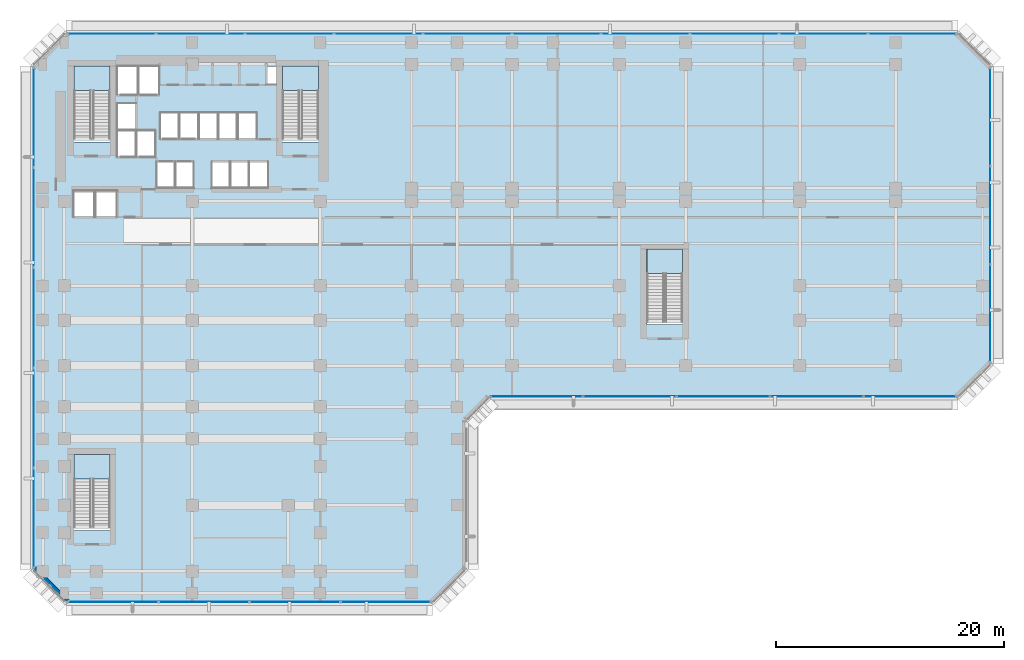
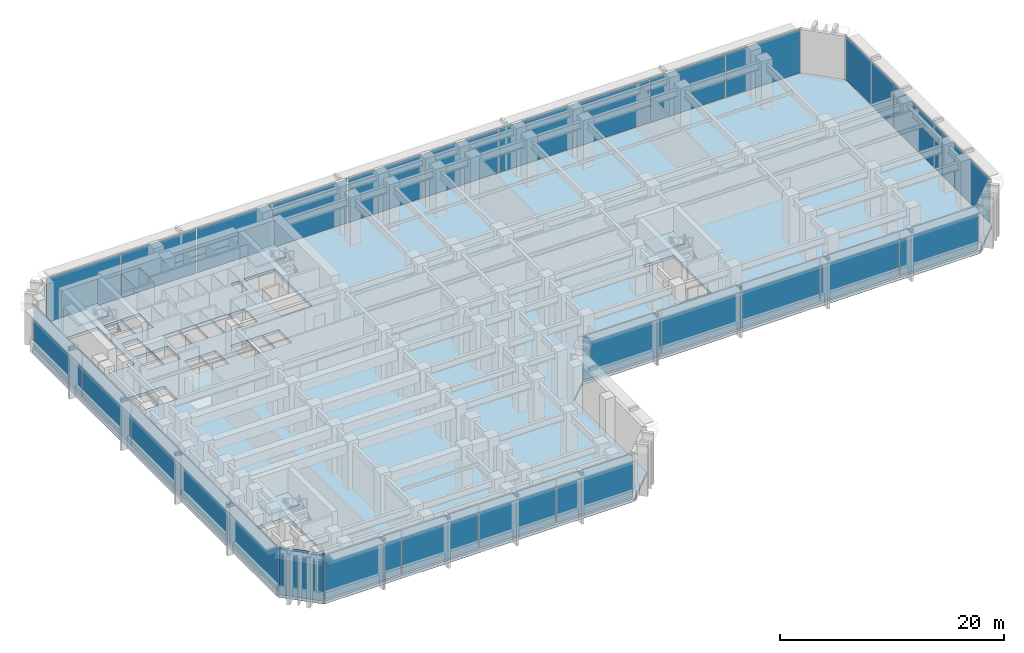
# One storey, part 8 of 20: 27 plates, 5 slabs, 1 wall, 9 elements without a shape of their own.
"""IFC4 building model written with IfcOpenShell, lengths in metres."""

from ifc_helpers import new_model, si_unit, direction, frame, frame_2d, origin, origin_2d, place, context, subcontext, project, spatial, polyline, rectangle, outline, extrude, material, layer, layer_set, type_object, element, aggregate, save


model = new_model("IFC4")

# Units and contexts
model_context = context("Model", 3, precision=1e-05, world=origin(), true_north=direction((0.0, 1.0)))
body_context = subcontext(model_context, "Body", "Model", "MODEL_VIEW")
ifc_project = project(units=[si_unit("LENGTHUNIT", "METRE"), si_unit("AREAUNIT", "SQUARE_METRE"), si_unit("VOLUMEUNIT", "CUBIC_METRE"), si_unit("PLANEANGLEUNIT", "RADIAN"), si_unit("MASSUNIT", "GRAM", prefix="KILO")], contexts=[model_context])

# Site, building, storey
site_placement = place(None, origin())
site = spatial("IfcSite", under=ifc_project, at=site_placement, CompositionType="ELEMENT")
building_placement = place(site_placement, origin())
building = spatial("IfcBuilding", under=site, at=building_placement, Name="Kefirva Bronze Tower", CompositionType="ELEMENT")
storey_placement = place(building_placement, frame((0.0, 0.0, 5.93994140625)))
storey = spatial("IfcBuildingStorey", under=building, at=storey_placement, Name="L01", CompositionType="ELEMENT", Elevation=5.93994140625)

# Slab
ifc_material_1 = material(Name="Concrete C40/50", Category="concrete")
ifc_layer_1 = layer(ifc_material_1, 0.320068359375, Name="Concrete C40/50")
ifc_layer_set_1 = layer_set([ifc_layer_1], Name="Concrete C40/50")
slab_type_1 = type_object("IfcSlabType", Name="RC Podium Floor Slab 320mm", PredefinedType="FLOOR", material=ifc_layer_set_1)
slab_1_placement = place(storey_placement, frame((0.0, 0.0, -0.31982421875)))
element("IfcSlab", 1, at=slab_1_placement, inside=storey, type_object=slab_type_1, Name="L01 Structural Floor Slab", PredefinedType="FLOOR", context=body_context, shape_type="SweptSolid", body=[
    extrude(outline(polyline([(-2.0, 1.0), (-2.0, 45.0), (1.0, 48.0), (79.0, 48.0), (82.0, 45.0), (82.0, 19.0), (79.0, 16.0), (38.0, 16.0), (36.0, 14.0), (36.0, 1.0), (33.0, -2.0), (1.0, -2.0), (-2.0, 1.0)]), holes=[polyline([(54.949951171875, 22.39990234375), (54.949951171875, 29.050048828125), (51.800048828125, 29.050048828125), (51.800048828125, 22.39990234375), (54.949951171875, 22.39990234375)]), polyline([(19.89990234375, 38.39990234375), (23.050048828125, 38.39990234375), (23.050048828125, 45.050048828125), (19.89990234375, 45.050048828125), (19.89990234375, 38.39990234375)]), polyline([(18.52001953125, 43.419921875), (19.320068359375, 43.419921875), (19.320068359375, 45.0), (18.52001953125, 45.0), (18.52001953125, 43.419921875)]), polyline([(17.0, 34.35009765625), (18.64990234375, 34.35009765625), (18.64990234375, 36.64990234375), (17.0, 36.64990234375), (17.0, 34.35009765625)]), polyline([(17.64990234375, 38.679931640625), (17.64990234375, 40.97998046875), (16.0, 40.97998046875), (16.0, 38.679931640625), (17.64990234375, 38.679931640625)]), polyline([(15.35009765625, 34.35009765625), (16.949951171875, 34.35009765625), (16.949951171875, 36.64990234375), (15.35009765625, 36.64990234375), (15.35009765625, 34.35009765625)]), polyline([(14.300048828125, 38.679931640625), (15.929931640625, 38.679931640625), (15.929931640625, 40.97998046875), (14.300048828125, 40.97998046875), (14.300048828125, 38.679931640625)]), polyline([(15.300048828125, 34.35009765625), (15.300048828125, 36.64990234375), (13.699951171875, 36.64990234375), (13.699951171875, 34.35009765625), (15.300048828125, 34.35009765625)]), polyline([(12.60009765625, 38.679931640625), (14.22998046875, 38.679931640625), (14.22998046875, 40.97998046875), (12.60009765625, 40.97998046875), (12.60009765625, 38.679931640625)]), polyline([(12.530029296875, 38.679931640625), (12.530029296875, 40.97998046875), (10.89990234375, 40.97998046875), (10.89990234375, 38.679931640625), (12.530029296875, 38.679931640625)]), polyline([(12.139892578125, 34.35009765625), (12.139892578125, 36.64990234375), (10.5400390625, 36.64990234375), (10.5400390625, 34.35009765625), (12.139892578125, 34.35009765625)]), polyline([(9.199951171875, 38.679931640625), (10.830078125, 38.679931640625), (10.830078125, 40.97998046875), (9.199951171875, 40.97998046875), (9.199951171875, 38.679931640625)]), polyline([(8.89990234375, 34.35009765625), (10.5, 34.35009765625), (10.5, 36.64990234375), (8.89990234375, 36.64990234375), (8.89990234375, 34.35009765625)]), polyline([(7.300048828125, 42.550048828125), (9.1201171875, 42.550048828125), (9.1201171875, 45.050048828125), (7.300048828125, 45.050048828125), (7.300048828125, 42.550048828125)]), polyline([(8.780029296875, 37.10009765625), (8.780029296875, 39.39990234375), (7.139892578125, 39.39990234375), (7.139892578125, 37.10009765625), (8.780029296875, 37.10009765625)]), polyline([(5.419921875, 42.550048828125), (7.239990234375, 42.550048828125), (7.239990234375, 45.050048828125), (5.419921875, 45.050048828125), (5.419921875, 42.550048828125)]), polyline([(5.419921875, 39.47998046875), (7.06005859375, 39.47998046875), (7.06005859375, 41.780029296875), (5.419921875, 41.780029296875), (5.419921875, 39.47998046875)]), polyline([(5.419921875, 37.10009765625), (7.06005859375, 37.10009765625), (7.06005859375, 39.39990234375), (5.419921875, 39.39990234375), (5.419921875, 37.10009765625)]), polyline([(5.39990234375, 31.85009765625), (5.39990234375, 34.14990234375), (3.550048828125, 34.14990234375), (3.550048828125, 31.85009765625), (5.39990234375, 31.85009765625)]), polyline([(4.800048828125, 38.39990234375), (4.800048828125, 45.050048828125), (1.64990234375, 45.050048828125), (1.64990234375, 38.39990234375), (4.800048828125, 38.39990234375)]), polyline([(4.800048828125, 4.39990234375), (4.800048828125, 11.050048828125), (1.64990234375, 11.050048828125), (1.64990234375, 4.39990234375), (4.800048828125, 4.39990234375)]), polyline([(3.449951171875, 31.85009765625), (3.449951171875, 34.14990234375), (1.60009765625, 34.14990234375), (1.60009765625, 31.85009765625), (3.449951171875, 31.85009765625)])]), origin(), (0.0, 0.0, 1.0), 0.31982421875),
])

# Stair, slab
stair_type = type_object("IfcStairType", Name="RC Dogleg Protected Stair 32R", PredefinedType="HALF_TURN_STAIR", material=ifc_material_1)
stair_1_placement = place(storey_placement, origin())
stair_1 = element("IfcStair", 2, at=stair_1_placement, inside=storey, type_object=stair_type, Name="L01 Protected Exit Stair 1", PredefinedType="HALF_TURN_STAIR")
ifc_layer_2 = layer(ifc_material_1, 0.199951171875, Name="Concrete C40/50")
ifc_layer_set_2 = layer_set([ifc_layer_2], Name="Concrete C40/50")
slab_type_2 = type_object("IfcSlabType", Name="RC Stair Landing Slab 200mm", PredefinedType="LANDING", material=ifc_layer_set_2)
slab_2_placement = place(storey_placement, frame((0.0, 0.0, 2.43994140625)))
slab_2 = element("IfcSlab", 3, at=slab_2_placement, type_object=slab_type_2, Name="ST-1 landing 1", PredefinedType="LANDING", context=body_context, shape_type="SweptSolid", body=[
    extrude(outline(polyline([(4.800048828125, 42.89990234375), (4.800048828125, 45.050048828125), (1.64990234375, 45.050048828125), (1.64990234375, 42.89990234375), (4.800048828125, 42.89990234375)])), origin(), (0.0, 0.0, 1.0), 0.2001953125),
])
aggregate(stair_1, [slab_2])

stair_2_placement = place(storey_placement, origin())
stair_2 = element("IfcStair", 4, at=stair_2_placement, inside=storey, type_object=stair_type, Name="L01 Protected Exit Stair 2", PredefinedType="HALF_TURN_STAIR")
slab_3_placement = place(storey_placement, frame((0.0, 0.0, 2.43994140625)))
slab_3 = element("IfcSlab", 5, at=slab_3_placement, type_object=slab_type_2, Name="ST-2 landing 1", PredefinedType="LANDING", context=body_context, shape_type="SweptSolid", body=[
    extrude(outline(polyline([(23.050048828125, 42.89990234375), (23.050048828125, 45.050048828125), (19.89990234375, 45.050048828125), (19.89990234375, 42.89990234375), (23.050048828125, 42.89990234375)])), origin(), (0.0, 0.0, 1.0), 0.2001953125),
])
aggregate(stair_2, [slab_3])

stair_3_placement = place(storey_placement, origin())
stair_3 = element("IfcStair", 6, at=stair_3_placement, inside=storey, type_object=stair_type, Name="L01 Podium Exit Stair 3", PredefinedType="HALF_TURN_STAIR")
slab_4_placement = place(storey_placement, frame((0.0, 0.0, 2.43994140625)))
slab_4 = element("IfcSlab", 7, at=slab_4_placement, type_object=slab_type_2, Name="ST-3 landing 1", PredefinedType="LANDING", context=body_context, shape_type="SweptSolid", body=[
    extrude(outline(polyline([(4.800048828125, 8.89990234375), (4.800048828125, 11.050048828125), (1.64990234375, 11.050048828125), (1.64990234375, 8.89990234375), (4.800048828125, 8.89990234375)])), origin(), (0.0, 0.0, 1.0), 0.2001953125),
])
aggregate(stair_3, [slab_4])

stair_4_placement = place(storey_placement, origin())
stair_4 = element("IfcStair", 8, at=stair_4_placement, inside=storey, type_object=stair_type, Name="L01 Podium Exit Stair 4", PredefinedType="HALF_TURN_STAIR")
slab_5_placement = place(storey_placement, frame((0.0, 0.0, 2.43994140625)))
slab_5 = element("IfcSlab", 9, at=slab_5_placement, type_object=slab_type_2, Name="ST-4 landing 1", PredefinedType="LANDING", context=body_context, shape_type="SweptSolid", body=[
    extrude(outline(polyline([(54.949951171875, 26.89990234375), (54.949951171875, 29.050048828125), (51.800048828125, 29.050048828125), (51.800048828125, 26.89990234375), (54.949951171875, 26.89990234375)])), origin(), (0.0, 0.0, 1.0), 0.2001953125),
])
aggregate(stair_4, [slab_5])

# Curtain wall, plates
ifc_material_2 = material(Name="Bronze anodised aluminium", Category="aluminium")
ifc_layer_3 = layer(ifc_material_2, 0.239990234375, Name="Bronze anodised aluminium")
ifc_layer_set_3 = layer_set([ifc_layer_3], Name="Bronze anodised aluminium")
curtain_wall_type = type_object("IfcCurtainWallType", Name="Podium Double-Height Glazed Curtain Wall", PredefinedType="USERDEFINED", material=ifc_layer_set_3)
curtain_wall_1_placement = place(storey_placement, origin())
curtain_wall_1 = element("IfcCurtainWall", 10, at=curtain_wall_1_placement, inside=storey, type_object=curtain_wall_type, Name="L01 Curtain Wall 1", ObjectType="UNITISED CURTAIN WALL", PredefinedType="USERDEFINED")
ifc_material_3 = material(Name="Laminated low-E double glazing", Category="glass")
ifc_layer_4 = layer(ifc_material_3, 0.031982421875, Name="Laminated low-E double glazing")
ifc_layer_set_4 = layer_set([ifc_layer_4], Name="Laminated low-E double glazing")
plate_type = type_object("IfcPlateType", Name="Solar-Control Low-E Vision Panel 32mm", PredefinedType="CURTAIN_PANEL", material=ifc_layer_set_4)
plate_1_placement = place(storey_placement, frame((5.063720703125, -1.8798828125, 0.08984375), z_axis=(0.0, 0.0, 1.0), x_axis=(1.0, 0.0, 0.0)))
plate_1 = element("IfcPlate", 11, at=plate_1_placement, type_object=plate_type, Name="CW-05 panel 1.1", PredefinedType="CURTAIN_PANEL", context=body_context, shape_type="SweptSolid", body=[
    extrude(rectangle(XDim=7.83740234375, YDim=0.031982421875, at=origin_2d()), origin(), (0.0, 0.0, 1.0), 4.780029296875),
])
plate_2_placement = place(storey_placement, frame((13.013671875, -1.8798828125, 0.08984375), z_axis=(0.0, 0.0, 1.0), x_axis=(1.0, 0.0, 0.0)))
plate_2 = element("IfcPlate", 12, at=plate_2_placement, type_object=plate_type, Name="CW-05 panel 2.1", PredefinedType="CURTAIN_PANEL", context=body_context, shape_type="SweptSolid", body=[
    extrude(rectangle(XDim=7.882568359375, YDim=0.031982421875, at=origin_2d()), origin(), (0.0, 0.0, 1.0), 4.780029296875),
])
plate_3_placement = place(storey_placement, frame((20.986328125, -1.8798828125, 0.08984375), z_axis=(0.0, 0.0, 1.0), x_axis=(1.0, 0.0, 0.0)))
plate_3 = element("IfcPlate", 13, at=plate_3_placement, type_object=plate_type, Name="CW-05 panel 3.1", PredefinedType="CURTAIN_PANEL", context=body_context, shape_type="SweptSolid", body=[
    extrude(rectangle(XDim=7.882568359375, YDim=0.031982421875, at=origin_2d()), origin(), (0.0, 0.0, 1.0), 4.780029296875),
])
plate_4_placement = place(storey_placement, frame((28.936279296875, -1.8798828125, 0.08984375), z_axis=(0.0, 0.0, 1.0), x_axis=(1.0, 0.0, 0.0)))
plate_4 = element("IfcPlate", 14, at=plate_4_placement, type_object=plate_type, Name="CW-05 panel 4.1", PredefinedType="CURTAIN_PANEL", context=body_context, shape_type="SweptSolid", body=[
    extrude(rectangle(XDim=7.83740234375, YDim=0.031982421875, at=origin_2d()), origin(), (0.0, 0.0, 1.0), 4.780029296875),
])
aggregate(curtain_wall_1, [plate_1, plate_2, plate_3, plate_4])

curtain_wall_2_placement = place(storey_placement, origin())
curtain_wall_2 = element("IfcCurtainWall", 15, at=curtain_wall_2_placement, inside=storey, type_object=curtain_wall_type, Name="L01 Curtain Wall 2", ObjectType="UNITISED CURTAIN WALL", PredefinedType="USERDEFINED")
plate_5_placement = place(storey_placement, frame((42.16650390625, 16.1201171875, 0.08984375), z_axis=(0.0, 0.0, 1.0), x_axis=(1.0, 0.0, 0.0)))
plate_5 = element("IfcPlate", 16, at=plate_5_placement, type_object=plate_type, Name="CW-05 panel 1.1", PredefinedType="CURTAIN_PANEL", context=body_context, shape_type="SweptSolid", body=[
    extrude(rectangle(XDim=8.04296875, YDim=0.031982421875, at=origin_2d()), origin(), (0.0, 0.0, 1.0), 4.780029296875),
])
plate_6_placement = place(storey_placement, frame((50.322021484375, 16.1201171875, 0.08984375), z_axis=(0.0, 0.0, 1.0), x_axis=(1.0, 0.0, 0.0)))
plate_6 = element("IfcPlate", 17, at=plate_6_placement, type_object=plate_type, Name="CW-05 panel 2.1", PredefinedType="CURTAIN_PANEL", context=body_context, shape_type="SweptSolid", body=[
    extrude(rectangle(XDim=8.087890625, YDim=0.031982421875, at=origin_2d()), origin(), (0.0, 0.0, 1.0), 4.780029296875),
])
plate_7_placement = place(storey_placement, frame((58.5, 16.1201171875, 0.08984375), z_axis=(0.0, 0.0, 1.0), x_axis=(1.0, 0.0, 0.0)))
plate_7 = element("IfcPlate", 18, at=plate_7_placement, type_object=plate_type, Name="CW-05 panel 3.1", PredefinedType="CURTAIN_PANEL", context=body_context, shape_type="SweptSolid", body=[
    extrude(rectangle(XDim=8.087890625, YDim=0.031982421875, at=origin_2d()), origin(), (0.0, 0.0, 1.0), 4.780029296875),
])
plate_8_placement = place(storey_placement, frame((66.677978515625, 16.1201171875, 0.08984375), z_axis=(0.0, 0.0, 1.0), x_axis=(1.0, 0.0, 0.0)))
plate_8 = element("IfcPlate", 19, at=plate_8_placement, type_object=plate_type, Name="CW-05 panel 4.1", PredefinedType="CURTAIN_PANEL", context=body_context, shape_type="SweptSolid", body=[
    extrude(rectangle(XDim=8.087890625, YDim=0.031982421875, at=origin_2d()), origin(), (0.0, 0.0, 1.0), 4.780029296875),
])
plate_9_placement = place(storey_placement, frame((74.83349609375, 16.1201171875, 0.08984375), z_axis=(0.0, 0.0, 1.0), x_axis=(1.0, 0.0, 0.0)))
plate_9 = element("IfcPlate", 20, at=plate_9_placement, type_object=plate_type, Name="CW-05 panel 5.1", PredefinedType="CURTAIN_PANEL", context=body_context, shape_type="SweptSolid", body=[
    extrude(rectangle(XDim=8.04296875, YDim=0.031982421875, at=origin_2d()), origin(), (0.0, 0.0, 1.0), 4.780029296875),
])
aggregate(curtain_wall_2, [plate_5, plate_6, plate_7, plate_8, plate_9])

curtain_wall_3_placement = place(storey_placement, origin())
curtain_wall_3 = element("IfcCurtainWall", 21, at=curtain_wall_3_placement, inside=storey, type_object=curtain_wall_type, Name="L01 Curtain Wall 3", ObjectType="UNITISED CURTAIN WALL", PredefinedType="USERDEFINED")
plate_10_placement = place(storey_placement, frame((81.8798828125, 23.392578125, 0.08984375), z_axis=(0.0, 0.0, 1.0), x_axis=(0.0, 1.0, 0.0)))
plate_10 = element("IfcPlate", 22, at=plate_10_placement, type_object=plate_type, Name="CW-05 panel 1.1", PredefinedType="CURTAIN_PANEL", context=body_context, shape_type="SweptSolid", body=[
    extrude(rectangle(XDim=8.4951171875, YDim=0.031982421875, at=origin_2d()), origin(), (0.0, 0.0, 1.0), 4.780029296875),
])
plate_11_placement = place(storey_placement, frame((81.8798828125, 32.0, 0.08984375), z_axis=(0.0, 0.0, 1.0), x_axis=(0.0, 1.0, 0.0)))
plate_11 = element("IfcPlate", 23, at=plate_11_placement, type_object=plate_type, Name="CW-05 panel 2.1", PredefinedType="CURTAIN_PANEL", context=body_context, shape_type="SweptSolid", body=[
    extrude(rectangle(XDim=8.5400390625, YDim=0.031982421875, at=origin_2d()), origin(), (0.0, 0.0, 1.0), 4.780029296875),
])
plate_12_placement = place(storey_placement, frame((81.8798828125, 40.607421875, 0.08984375), z_axis=(0.0, 0.0, 1.0), x_axis=(0.0, 1.0, 0.0)))
plate_12 = element("IfcPlate", 24, at=plate_12_placement, type_object=plate_type, Name="CW-05 panel 3.1", PredefinedType="CURTAIN_PANEL", context=body_context, shape_type="SweptSolid", body=[
    extrude(rectangle(XDim=8.4951171875, YDim=0.031982421875, at=origin_2d()), origin(), (0.0, 0.0, 1.0), 4.780029296875),
])
aggregate(curtain_wall_3, [plate_10, plate_11, plate_12])

curtain_wall_4_placement = place(storey_placement, origin())
curtain_wall_4 = element("IfcCurtainWall", 25, at=curtain_wall_4_placement, inside=storey, type_object=curtain_wall_type, Name="L01 Curtain Wall 4", ObjectType="UNITISED CURTAIN WALL", PredefinedType="USERDEFINED")
plate_13_placement = place(storey_placement, frame((75.028076171875, 47.8798828125, 0.08984375), z_axis=(0.0, 0.0, 1.0), x_axis=(-1.0, 0.0, 0.0)))
plate_13 = element("IfcPlate", 26, at=plate_13_placement, type_object=plate_type, Name="CW-05 panel 1.1", PredefinedType="CURTAIN_PANEL", context=body_context, shape_type="SweptSolid", body=[
    extrude(rectangle(XDim=7.654052734375, YDim=0.031982421875, at=origin_2d()), origin(), (0.0, 0.0, 1.0), 4.780029296875),
])
plate_14_placement = place(storey_placement, frame((67.261474609375, 47.8798828125, 0.08984375), z_axis=(0.0, 0.0, 1.0), x_axis=(-1.0, 0.0, 0.0)))
plate_14 = element("IfcPlate", 27, at=plate_14_placement, type_object=plate_type, Name="CW-05 panel 2.1", PredefinedType="CURTAIN_PANEL", context=body_context, shape_type="SweptSolid", body=[
    extrude(rectangle(XDim=7.698974609375, YDim=0.031982421875, at=origin_2d()), origin(), (0.0, 0.0, 1.0), 4.780029296875),
])
plate_15_placement = place(storey_placement, frame((59.472412109375, 47.8798828125, 0.08984375), z_axis=(0.0, 0.0, 1.0), x_axis=(-1.0, 0.0, 0.0)))
plate_15 = element("IfcPlate", 28, at=plate_15_placement, type_object=plate_type, Name="CW-05 panel 3.1", PredefinedType="CURTAIN_PANEL", context=body_context, shape_type="SweptSolid", body=[
    extrude(rectangle(XDim=7.698974609375, YDim=0.031982421875, at=origin_2d()), origin(), (0.0, 0.0, 1.0), 4.780029296875),
])
plate_16_placement = place(storey_placement, frame((51.68359375, 47.8798828125, 0.08984375), z_axis=(0.0, 0.0, 1.0), x_axis=(-1.0, 0.0, 0.0)))
plate_16 = element("IfcPlate", 29, at=plate_16_placement, type_object=plate_type, Name="CW-05 panel 4.1", PredefinedType="CURTAIN_PANEL", context=body_context, shape_type="SweptSolid", body=[
    extrude(rectangle(XDim=7.698974609375, YDim=0.031982421875, at=origin_2d()), origin(), (0.0, 0.0, 1.0), 4.780029296875),
])
plate_17_placement = place(storey_placement, frame((43.89453125, 47.8798828125, 0.08984375), z_axis=(0.0, 0.0, 1.0), x_axis=(-1.0, 0.0, 0.0)))
plate_17 = element("IfcPlate", 30, at=plate_17_placement, type_object=plate_type, Name="CW-05 panel 5.1", PredefinedType="CURTAIN_PANEL", context=body_context, shape_type="SweptSolid", body=[
    extrude(rectangle(XDim=7.698974609375, YDim=0.031982421875, at=origin_2d()), origin(), (0.0, 0.0, 1.0), 4.780029296875),
])
plate_18_placement = place(storey_placement, frame((36.10546875, 47.8798828125, 0.08984375), z_axis=(0.0, 0.0, 1.0), x_axis=(-1.0, 0.0, 0.0)))
plate_18 = element("IfcPlate", 31, at=plate_18_placement, type_object=plate_type, Name="CW-05 panel 6.1", PredefinedType="CURTAIN_PANEL", context=body_context, shape_type="SweptSolid", body=[
    extrude(rectangle(XDim=7.698974609375, YDim=0.031982421875, at=origin_2d()), origin(), (0.0, 0.0, 1.0), 4.780029296875),
])
plate_19_placement = place(storey_placement, frame((28.31640625, 47.8798828125, 0.08984375), z_axis=(0.0, 0.0, 1.0), x_axis=(-1.0, 0.0, 0.0)))
plate_19 = element("IfcPlate", 32, at=plate_19_placement, type_object=plate_type, Name="CW-05 panel 7.1", PredefinedType="CURTAIN_PANEL", context=body_context, shape_type="SweptSolid", body=[
    extrude(rectangle(XDim=7.698974609375, YDim=0.031982421875, at=origin_2d()), origin(), (0.0, 0.0, 1.0), 4.780029296875),
])
plate_20_placement = place(storey_placement, frame((20.527587890625, 47.8798828125, 0.08984375), z_axis=(0.0, 0.0, 1.0), x_axis=(-1.0, 0.0, 0.0)))
plate_20 = element("IfcPlate", 33, at=plate_20_placement, type_object=plate_type, Name="CW-05 panel 8.1", PredefinedType="CURTAIN_PANEL", context=body_context, shape_type="SweptSolid", body=[
    extrude(rectangle(XDim=7.698974609375, YDim=0.031982421875, at=origin_2d()), origin(), (0.0, 0.0, 1.0), 4.780029296875),
])
plate_21_placement = place(storey_placement, frame((12.738525390625, 47.8798828125, 0.08984375), z_axis=(0.0, 0.0, 1.0), x_axis=(-1.0, 0.0, 0.0)))
plate_21 = element("IfcPlate", 34, at=plate_21_placement, type_object=plate_type, Name="CW-05 panel 9.1", PredefinedType="CURTAIN_PANEL", context=body_context, shape_type="SweptSolid", body=[
    extrude(rectangle(XDim=7.698974609375, YDim=0.031982421875, at=origin_2d()), origin(), (0.0, 0.0, 1.0), 4.780029296875),
])
plate_22_placement = place(storey_placement, frame((4.971923828125, 47.8798828125, 0.08984375), z_axis=(0.0, 0.0, 1.0), x_axis=(-1.0, 0.0, 0.0)))
plate_22 = element("IfcPlate", 35, at=plate_22_placement, type_object=plate_type, Name="CW-05 panel 10.1", PredefinedType="CURTAIN_PANEL", context=body_context, shape_type="SweptSolid", body=[
    extrude(rectangle(XDim=7.654052734375, YDim=0.031982421875, at=origin_2d()), origin(), (0.0, 0.0, 1.0), 4.780029296875),
])
aggregate(curtain_wall_4, [plate_13, plate_14, plate_15, plate_16, plate_17, plate_18, plate_19, plate_20, plate_21, plate_22])

curtain_wall_5_placement = place(storey_placement, origin())
curtain_wall_5 = element("IfcCurtainWall", 36, at=curtain_wall_5_placement, inside=storey, type_object=curtain_wall_type, Name="L01 Curtain Wall 5", ObjectType="UNITISED CURTAIN WALL", PredefinedType="USERDEFINED")
plate_23_placement = place(storey_placement, frame((-1.8798828125, 40.533447265625, 0.08984375), z_axis=(0.0, 0.0, 1.0), x_axis=(0.0, -1.0, 0.0)))
plate_23 = element("IfcPlate", 37, at=plate_23_placement, type_object=plate_type, Name="CW-05 panel 1.1", PredefinedType="CURTAIN_PANEL", context=body_context, shape_type="SweptSolid", body=[
    extrude(rectangle(XDim=8.64306640625, YDim=0.031982421875, at=origin_2d()), origin(), (0.0, 0.0, 1.0), 4.780029296875),
])
plate_24_placement = place(storey_placement, frame((-1.8798828125, 31.778076171875, 0.08984375), z_axis=(0.0, 0.0, 1.0), x_axis=(0.0, -1.0, 0.0)))
plate_24 = element("IfcPlate", 38, at=plate_24_placement, type_object=plate_type, Name="CW-05 panel 2.1", PredefinedType="CURTAIN_PANEL", context=body_context, shape_type="SweptSolid", body=[
    extrude(rectangle(XDim=8.68798828125, YDim=0.031982421875, at=origin_2d()), origin(), (0.0, 0.0, 1.0), 4.780029296875),
])
plate_25_placement = place(storey_placement, frame((-1.8798828125, 23.0, 0.08984375), z_axis=(0.0, 0.0, 1.0), x_axis=(0.0, -1.0, 0.0)))
plate_25 = element("IfcPlate", 39, at=plate_25_placement, type_object=plate_type, Name="CW-05 panel 3.1", PredefinedType="CURTAIN_PANEL", context=body_context, shape_type="SweptSolid", body=[
    extrude(rectangle(XDim=8.68798828125, YDim=0.031982421875, at=origin_2d()), origin(), (0.0, 0.0, 1.0), 4.780029296875),
])
plate_26_placement = place(storey_placement, frame((-1.8798828125, 14.221923828125, 0.08984375), z_axis=(0.0, 0.0, 1.0), x_axis=(0.0, -1.0, 0.0)))
plate_26 = element("IfcPlate", 40, at=plate_26_placement, type_object=plate_type, Name="CW-05 panel 4.1", PredefinedType="CURTAIN_PANEL", context=body_context, shape_type="SweptSolid", body=[
    extrude(rectangle(XDim=8.68798828125, YDim=0.031982421875, at=origin_2d()), origin(), (0.0, 0.0, 1.0), 4.780029296875),
])
plate_27_placement = place(storey_placement, frame((-1.8798828125, 5.466552734375, 0.08984375), z_axis=(0.0, 0.0, 1.0), x_axis=(0.0, -1.0, 0.0)))
plate_27 = element("IfcPlate", 41, at=plate_27_placement, type_object=plate_type, Name="CW-05 panel 5.1", PredefinedType="CURTAIN_PANEL", context=body_context, shape_type="SweptSolid", body=[
    extrude(rectangle(XDim=8.64306640625, YDim=0.031982421875, at=origin_2d()), origin(), (0.0, 0.0, 1.0), 4.780029296875),
])
aggregate(curtain_wall_5, [plate_23, plate_24, plate_25, plate_26, plate_27])

# Wall
ifc_material_4 = material(Name="Precast concrete C40/50", Category="concrete")
ifc_layer_5 = layer(ifc_material_4, 0.360107421875, Name="Precast concrete C40/50")
ifc_layer_set_5 = layer_set([ifc_layer_5], Name="Precast concrete C40/50")
wall_type = type_object("IfcWallType", Name="Precast Podium Facade Wall 360mm", PredefinedType="SOLIDWALL", material=ifc_layer_set_5)
wall_placement = place(storey_placement, frame((-1.833740234375, 1.08837890625, 0.0), z_axis=(0.0, 0.0, 1.0), x_axis=(0.707106781187, -0.707106781187, 0.0)))
element("IfcWall", 42, at=wall_placement, inside=storey, type_object=wall_type, Name="L01 Exterior Facade Wall 7", PredefinedType="SOLIDWALL", context=body_context, shape_type="SweptSolid", body=[
    extrude(rectangle(XDim=4.132568359375, YDim=0.360107421875, at=frame_2d((2.06640625, 0.0))), origin(), (0.0, 0.0, 1.0), 4.9599609375),
])

save(model, "model.ifc")
